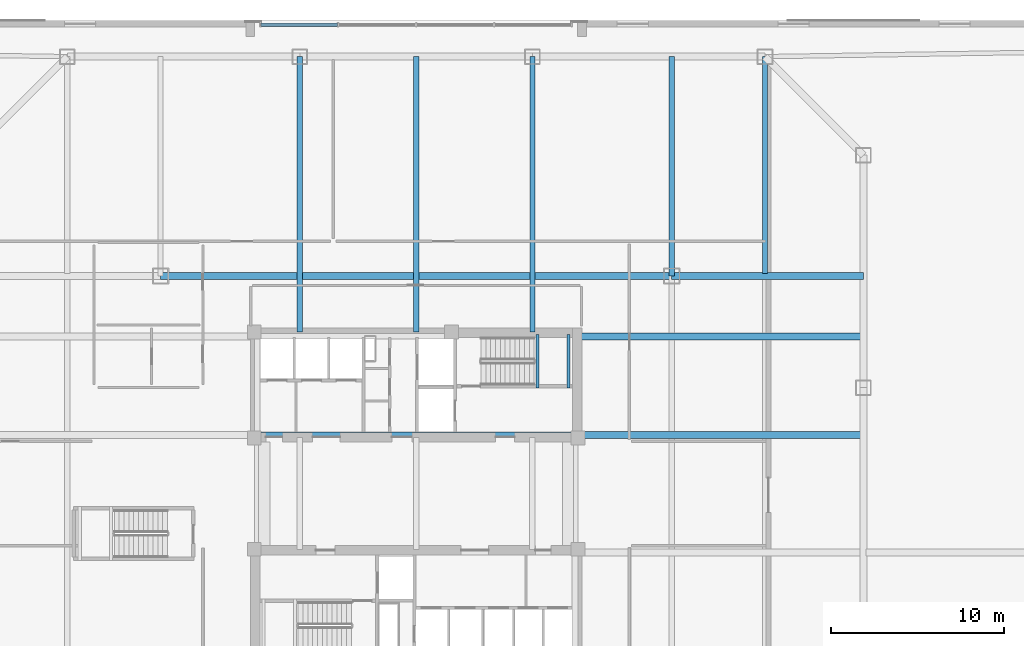
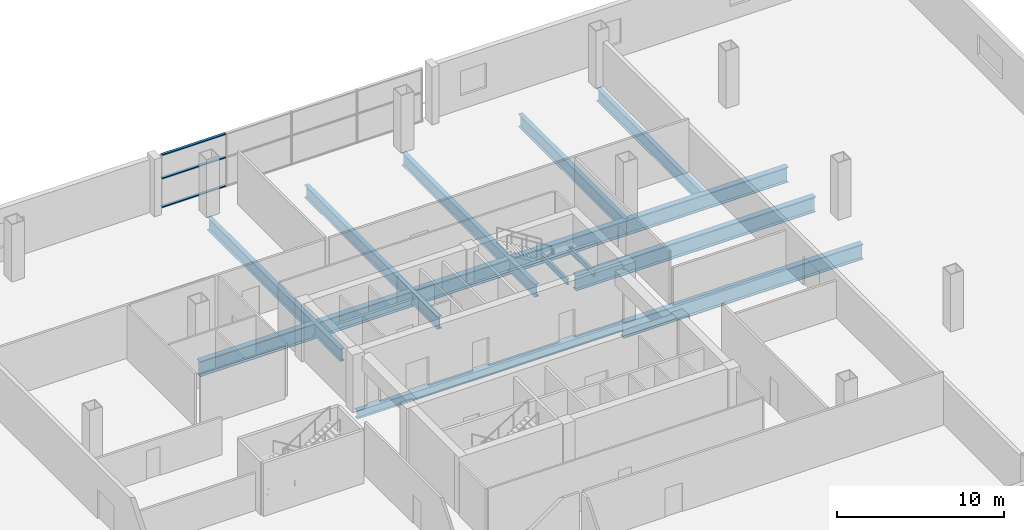
# One storey, part 9 of 21: 12 beams, 3 members, 1 element without a shape of its own.
"""IFC4 building model written with IfcOpenShell, lengths in metres."""

from ifc_helpers import new_model, si_unit, direction, frame, origin, origin_2d, place, context, subcontext, project, spatial, hollow_rectangle, i_section, extrude, material, layer, layer_set, material_profile, profile_set, type_object, element, aggregate, save


model = new_model("IFC4")

# Units and contexts
model_context = context("Model", 3, precision=1e-05, world=origin(), true_north=direction((0.0, 1.0)))
body_context = subcontext(model_context, "Body", "Model", "MODEL_VIEW")
ifc_project = project(units=[si_unit("LENGTHUNIT", "METRE"), si_unit("AREAUNIT", "SQUARE_METRE"), si_unit("VOLUMEUNIT", "CUBIC_METRE"), si_unit("PLANEANGLEUNIT", "RADIAN"), si_unit("MASSUNIT", "GRAM", prefix="KILO")], contexts=[model_context])

# Site, building, storey
site_placement = place(None, origin())
site = spatial("IfcSite", under=ifc_project, at=site_placement, CompositionType="ELEMENT")
building_placement = place(site_placement, origin())
building = spatial("IfcBuilding", under=site, at=building_placement, Name="Qhalaya Broadcast Tower", CompositionType="ELEMENT")
storey_placement = place(building_placement, frame((0.0, 0.0, 13.5)))
storey = spatial("IfcBuildingStorey", under=building, at=storey_placement, Name="L03", CompositionType="ELEMENT", Elevation=13.5)

# Beams
ifc_material_1 = material(Name="Structural Steel ASTM A992 Grade 50", Category="steel")
ifc_material_profile_1 = material_profile(ifc_material_1, i_section(OverallWidth=0.323974609375, OverallDepth=0.612060546875, WebThickness=0.0126953125, FlangeThickness=0.01904296875, at=origin_2d()), Name="W24X104")
ifc_profile_set_1 = profile_set([ifc_material_profile_1], Name="Structural Steel ASTM A992 Grade 50")
beam_type_1 = type_object("IfcBeamType", Name="Core Frame Tie Beam B04", PredefinedType="BEAM", material=ifc_profile_set_1)
beam_1_placement = place(storey_placement, frame((-9.199951171875, 4.0, -0.6259765625), z_axis=(1.0, 0.0, 0.0), x_axis=(0.0, 1.0, 0.0)))
element("IfcBeam", 1, at=beam_1_placement, inside=storey, type_object=beam_type_1, Name="L03 B04 L03-CCN1", PredefinedType="BEAM", context=body_context, shape_type="SweptSolid", body=[
    extrude(i_section(OverallWidth=0.323974609375, OverallDepth=0.612060546875, WebThickness=0.0126953125, FlangeThickness=0.01904296875, at=origin_2d()), origin(), (0.0, 0.0, 1.0), 18.39990234375),
])
ifc_material_profile_2 = material_profile(ifc_material_1, i_section(OverallWidth=0.306884765625, OverallDepth=0.927001953125, WebThickness=0.019287109375, FlangeThickness=0.031982421875, at=origin_2d()), Name="W36X194")
ifc_profile_set_2 = profile_set([ifc_material_profile_2], Name="Structural Steel ASTM A992 Grade 50")
beam_type_2 = type_object("IfcBeamType", Name="Heavy Studio Floor Beam B01", PredefinedType="BEAM", material=ifc_profile_set_2)
for number, where, z_axis, x_axis, name in (
    (2, (-6.7333984375, 9.949951171875, -0.783447265625), (0.0, 1.0, 0.0), (-1.0, 0.0, 0.0), "L03 B01 L03-JS-CN-6.7"),
    (3, (0.0, 9.949951171875, -0.783447265625), (0.0, 1.0, 0.0), (-1.0, 0.0, 0.0), "L03 B01 L03-JS-CN+0.0"),
    (4, (6.7333984375, 9.949951171875, -0.783447265625), (0.0, 1.0, 0.0), (-1.0, 0.0, 0.0), "L03 B01 L03-JS-CN+6.7"),
):
    element("IfcBeam", number, at=place(storey_placement, frame(where, z_axis=z_axis, x_axis=x_axis)), inside=storey, type_object=beam_type_2, Name=name, PredefinedType="BEAM", context=body_context, shape_type="SweptSolid", body=[
        extrude(i_section(OverallWidth=0.306884765625, OverallDepth=0.927001953125, WebThickness=0.019287109375, FlangeThickness=0.031982421875, at=origin_2d()), origin(), (0.0, 0.0, 1.0), 15.949951171875),
    ])
beam_2_placement = place(storey_placement, frame((14.800048828125, 13.199951171875, -0.783447265625), z_axis=(0.0, 1.0, 0.0), x_axis=(-1.0, 0.0, 0.0)))
element("IfcBeam", 5, at=beam_2_placement, inside=storey, type_object=beam_type_2, Name="L03 B01 L03-JS-N+14.8", PredefinedType="BEAM", context=body_context, shape_type="SweptSolid", body=[
    extrude(i_section(OverallWidth=0.306884765625, OverallDepth=0.927001953125, WebThickness=0.019287109375, FlangeThickness=0.031982421875, at=origin_2d()), origin(), (0.0, 0.0, 1.0), 12.699951171875),
])
beam_3_placement = place(storey_placement, frame((20.199951171875, 13.340087890625, -0.783447265625), z_axis=(0.0, 1.0, 0.0), x_axis=(-1.0, 0.0, 0.0)))
element("IfcBeam", 6, at=beam_3_placement, inside=storey, type_object=beam_type_2, Name="L03 B01 L03-JS-N+20.2", PredefinedType="BEAM", context=body_context, shape_type="SweptSolid", body=[
    extrude(i_section(OverallWidth=0.306884765625, OverallDepth=0.927001953125, WebThickness=0.019287109375, FlangeThickness=0.031982421875, at=origin_2d()), origin(), (0.0, 0.0, 1.0), 12.559814453125),
])
ifc_material_profile_3 = material_profile(ifc_material_1, i_section(OverallWidth=0.404052734375, OverallDepth=1.117919921875, WebThickness=0.026123046875, FlangeThickness=0.044921875, at=origin_2d()), Name="W44X335")
ifc_profile_set_3 = profile_set([ifc_material_profile_3], Name="Structural Steel ASTM A992 Grade 50")
beam_type_3 = type_object("IfcBeamType", Name="Podium Long-Span Primary Girder PG1", PredefinedType="USERDEFINED", material=ifc_profile_set_3)
beam_4_placement = place(storey_placement, frame((-14.800048828125, 13.199951171875, -0.87890625), z_axis=(1.0, 0.0, 0.0), x_axis=(0.0, 1.0, 0.0)))
element("IfcBeam", 7, at=beam_4_placement, inside=storey, type_object=beam_type_3, Name="L03 PG1 L03-PG-GN3", ObjectType="GIRDER", PredefinedType="USERDEFINED", context=body_context, shape_type="SweptSolid", body=[
    extrude(i_section(OverallWidth=0.404052734375, OverallDepth=1.117919921875, WebThickness=0.026123046875, FlangeThickness=0.044921875, at=origin_2d()), origin(), (0.0, 0.0, 1.0), 29.60009765625),
])
beam_5_placement = place(storey_placement, frame((14.800048828125, 13.199951171875, -0.87890625), z_axis=(1.0, 0.0, 0.0), x_axis=(0.0, 1.0, 0.0)))
element("IfcBeam", 8, at=beam_5_placement, inside=storey, type_object=beam_type_3, Name="L03 PG1 L03-PG-GN4", ObjectType="GIRDER", PredefinedType="USERDEFINED", context=body_context, shape_type="SweptSolid", body=[
    extrude(i_section(OverallWidth=0.404052734375, OverallDepth=1.117919921875, WebThickness=0.026123046875, FlangeThickness=0.044921875, at=origin_2d()), origin(), (0.0, 0.0, 1.0), 11.099853515625),
])
for number, where, z_axis, x_axis, name in (
    (9, (9.199951171875, 4.0, -0.87890625), (1.0, 0.0, 0.0), (0.0, 1.0, 0.0), "L03 PG1 L03-PG-E3A"),
    (10, (9.199951171875, 9.699951171875, -0.87890625), (1.0, 0.0, 0.0), (0.0, 1.0, 0.0), "L03 PG1 L03-PG-E4A"),
):
    element("IfcBeam", number, at=place(storey_placement, frame(where, z_axis=z_axis, x_axis=x_axis)), inside=storey, type_object=beam_type_3, Name=name, ObjectType="GIRDER", PredefinedType="USERDEFINED", context=body_context, shape_type="SweptSolid", body=[
        extrude(i_section(OverallWidth=0.404052734375, OverallDepth=1.117919921875, WebThickness=0.026123046875, FlangeThickness=0.044921875, at=origin_2d()), origin(), (0.0, 0.0, 1.0), 16.56005859375),
    ])

# Curtain wall, members
ifc_material_2 = material(Name="Solar-Control Low-E Triple Glazing", Category="glass")
ifc_layer = layer(ifc_material_2, 0.219970703125, Name="Solar-Control Low-E Triple Glazing")
ifc_layer_set = layer_set([ifc_layer], Name="Solar-Control Low-E Triple Glazing")
curtain_wall_type = type_object("IfcCurtainWallType", Name="Podium Concourse Triple-Height Glazed Portal CW-01", PredefinedType="NOTDEFINED", material=ifc_layer_set)
curtain_wall_placement = place(storey_placement, origin())
curtain_wall = element("IfcCurtainWall", 11, at=curtain_wall_placement, inside=storey, type_object=curtain_wall_type, Name="L03 Unitised Curtain Wall L03-CW01-N", PredefinedType="NOTDEFINED")
ifc_material_3 = material(Name="Anodised Aluminium 6063-T6", Category="aluminium")
ifc_material_profile_4 = material_profile(ifc_material_3, hollow_rectangle(XDim=0.074951171875, YDim=0.179931640625, WallThickness=0.00390625, at=origin_2d()), Name="ALU-TRN 75x180x4")
ifc_profile_set_4 = profile_set([ifc_material_profile_4], Name="Anodised Aluminium 6063-T6")
member_type = type_object("IfcMemberType", Name="Unitised Curtain-Wall Transom T01", PredefinedType="USERDEFINED", material=ifc_profile_set_4)
member_1_placement = place(storey_placement, frame((-4.5625, 27.75, 0.03759765625), z_axis=(-1.0, 0.0, 0.0), x_axis=(0.0, 0.0, 1.0)))
member_1 = element("IfcMember", 12, at=member_1_placement, type_object=member_type, Name="CW-01 transom 4.1", ObjectType="TRANSOM", PredefinedType="USERDEFINED", context=body_context, shape_type="SweptSolid", body=[
    extrude(hollow_rectangle(XDim=0.074951171875, YDim=0.179931640625, WallThickness=0.00390625, at=origin_2d()), origin(), (0.0, 0.0, 1.0), 4.41259765625),
])
member_2_placement = place(storey_placement, frame((-4.5625, 27.75, 2.134033203125), z_axis=(-1.0, 0.0, 0.0), x_axis=(0.0, 0.0, 1.0)))
member_2 = element("IfcMember", 13, at=member_2_placement, type_object=member_type, Name="CW-01 transom 4.2", ObjectType="TRANSOM", PredefinedType="USERDEFINED", context=body_context, shape_type="SweptSolid", body=[
    extrude(hollow_rectangle(XDim=0.074951171875, YDim=0.179931640625, WallThickness=0.00390625, at=origin_2d()), origin(), (0.0, 0.0, 1.0), 4.41259765625),
])
member_3_placement = place(storey_placement, frame((-4.5625, 27.75, 3.842529296875), z_axis=(-1.0, 0.0, 0.0), x_axis=(0.0, 0.0, 1.0)))
member_3 = element("IfcMember", 14, at=member_3_placement, type_object=member_type, Name="CW-01 transom 4.3", ObjectType="TRANSOM", PredefinedType="USERDEFINED", context=body_context, shape_type="SweptSolid", body=[
    extrude(hollow_rectangle(XDim=0.074951171875, YDim=0.179931640625, WallThickness=0.00390625, at=origin_2d()), origin(), (0.0, 0.0, 1.0), 4.41259765625),
])
aggregate(curtain_wall, [member_1, member_2, member_3])

# Beams
ifc_material_profile_5 = material_profile(ifc_material_1, i_section(OverallWidth=0.177978515625, OverallDepth=0.406005859375, WebThickness=0.0078125, FlangeThickness=0.0126953125, at=origin_2d()), Name="W16X40")
ifc_profile_set_5 = profile_set([ifc_material_profile_5], Name="Structural Steel ASTM A992 Grade 50")
beam_type_4 = type_object("IfcBeamType", Name="Upper Perimeter Spandrel Beam SP2", PredefinedType="SPANDREL", material=ifc_profile_set_5)
for number, where, z_axis, x_axis, name in (
    (15, (7.014892578125, 6.699951171875, 1.697021484375), (0.0, 1.0, 0.0), (-1.0, 0.0, 0.0), "L03 ST-1 Half-Landing Bearer Beam 1"),
    (16, (8.830078125, 6.699951171875, 1.697021484375), (0.0, 1.0, 0.0), (-1.0, 0.0, 0.0), "L03 ST-1 Half-Landing Bearer Beam 2"),
):
    element("IfcBeam", number, at=place(storey_placement, frame(where, z_axis=z_axis, x_axis=x_axis)), inside=storey, type_object=beam_type_4, Name=name, PredefinedType="SPANDREL", context=body_context, shape_type="SweptSolid", body=[
        extrude(i_section(OverallWidth=0.177978515625, OverallDepth=0.406005859375, WebThickness=0.0078125, FlangeThickness=0.0126953125, at=origin_2d()), origin(), (0.0, 0.0, 1.0), 3.1201171875),
    ])

save(model, "model.ifc")
